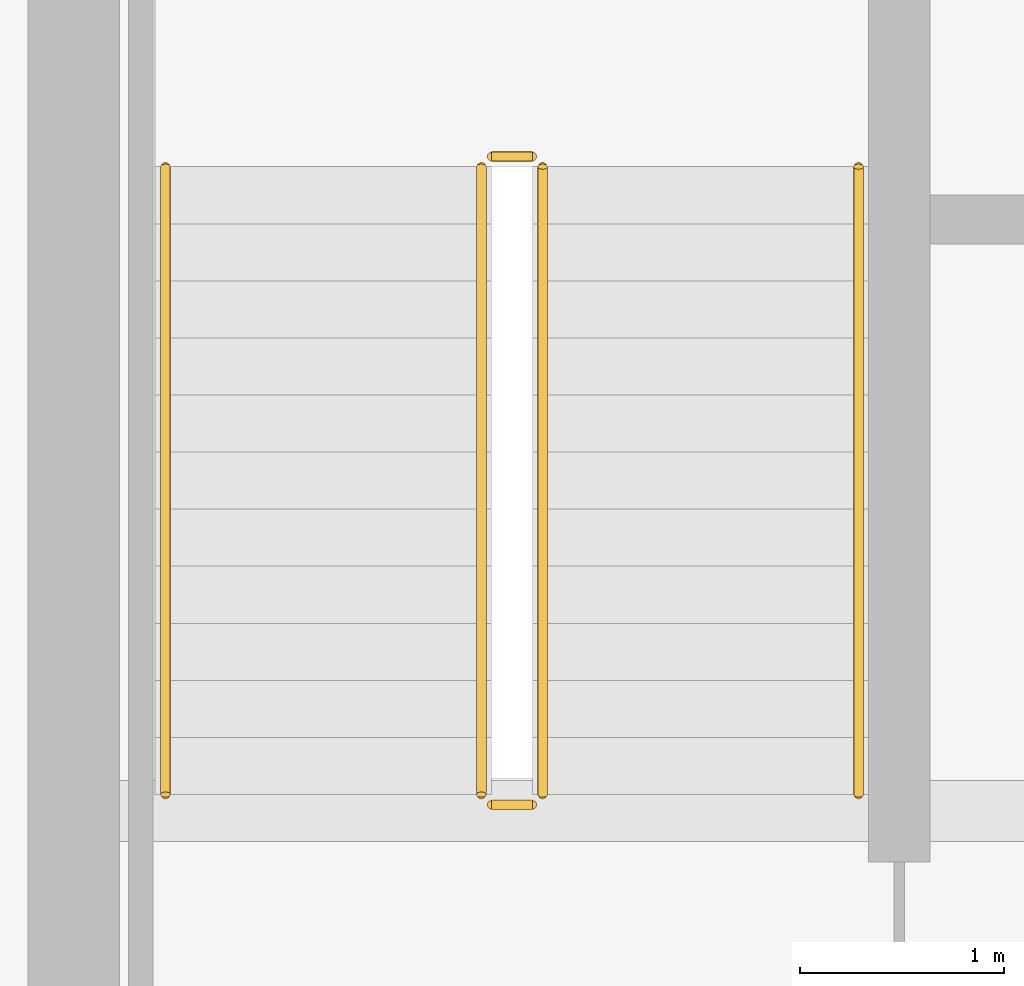
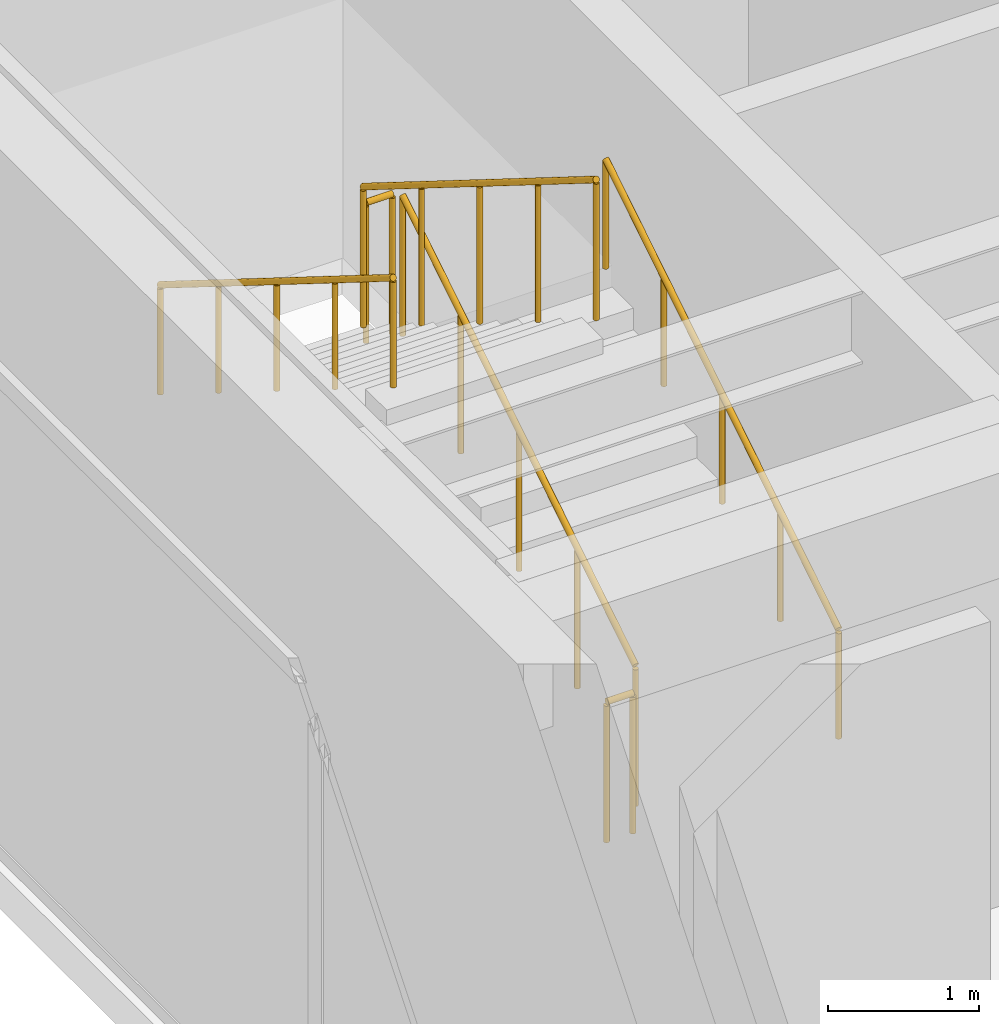
# One storey, part 30 of 31: 6 railings.
"""IFC4 building model written with IfcOpenShell, lengths in metres."""

from ifc_helpers import new_model, si_unit, direction, frame, origin, origin_2d, place, context, subcontext, project, spatial, circle, extrude, source, transform, mapped, material, type_object, type_shapes, element, save


model = new_model("IFC4")

# Units and contexts
model_context = context("Model", 3, precision=1e-05, world=origin(), true_north=direction((0.0, 1.0)))
body_context = subcontext(model_context, "Body", "Model", "MODEL_VIEW")
ifc_project = project(units=[si_unit("LENGTHUNIT", "METRE"), si_unit("AREAUNIT", "SQUARE_METRE"), si_unit("VOLUMEUNIT", "CUBIC_METRE"), si_unit("PLANEANGLEUNIT", "RADIAN"), si_unit("MASSUNIT", "GRAM", prefix="KILO")], contexts=[model_context])

# Site, building, storey
site_placement = place(None, origin())
site = spatial("IfcSite", under=ifc_project, at=site_placement, CompositionType="ELEMENT")
building_placement = place(site_placement, origin())
building = spatial("IfcBuilding", under=site, at=building_placement, Name="Haelvirn Gate Laboratories", CompositionType="ELEMENT")
storey_placement = place(building_placement, frame((0.0, 0.0, 318.60009765625)))
storey = spatial("IfcBuildingStorey", under=building, at=storey_placement, Name="L76", CompositionType="ELEMENT", Elevation=318.60009765625)

# Railings
ifc_material_1 = material(Name="Galvanised steel SM355 & stainless top rail", Category="steel")
railing_type_1 = type_object("IfcRailingType", Name="RL-GUARD-1150", PredefinedType="GUARDRAIL", material=ifc_material_1)
shared_shape_1 = source(origin(), body_context, "Body", "SweptSolid", [
    extrude(circle(Radius=0.02392578125, at=origin_2d()), frame((0.0, 0.0, 1.1259765625), z_axis=(-1.0, 0.0, 0.0), x_axis=(0.0, -1.0, 0.0)), (0.0, 0.0, 1.0), 0.199951171875),
    extrude(circle(Radius=0.02099609375, at=origin_2d()), origin(), (0.0, 0.0, 1.0), 1.101806640625),
    extrude(circle(Radius=0.02099609375, at=origin_2d()), frame((-0.199951171875, 0.0, 0.0)), (0.0, 0.0, 1.0), 1.101806640625),
])
for number, where, name in (
    (1, (9.64990234375, 29.830078125, 2.099853515625), "L76 ST1 stair guard 2"),
    (2, (9.64990234375, 26.64990234375, 0.0), "L76 ST1 stair guard 4"),
):
    element("IfcRailing", number, at=place(storey_placement, frame(where)), inside=storey, type_object=railing_type_1, Name=name, PredefinedType="GUARDRAIL", context=body_context, shape_type="MappedRepresentation", body=[
        mapped(shared_shape_1, transform((0.0, 0.0, 0.0), scale=1.0)),
    ])
shared_shape_2 = source(origin(), body_context, "Body", "SweptSolid", [
    extrude(circle(Radius=0.02392578125, at=origin_2d()), frame((0.0, 0.0, 1.1259765625), z_axis=(0.0, 0.847998304005, 0.529998940003), x_axis=(-1.0, 0.0, 0.0)), (0.0, 0.0, 1.0), 3.632080078125),
    extrude(circle(Radius=0.02099609375, at=origin_2d()), origin(), (0.0, 0.0, 1.0), 1.101806640625),
    extrude(circle(Radius=0.02099609375, at=origin_2d()), frame((0.0, 0.77001953125, 0.481201171875)), (0.0, 0.0, 1.0), 1.101806640625),
    extrude(circle(Radius=0.02099609375, at=origin_2d()), frame((0.0, 1.5400390625, 0.96240234375)), (0.0, 0.0, 1.0), 1.101806640625),
    extrude(circle(Radius=0.02099609375, at=origin_2d()), frame((0.0, 2.31005859375, 1.44384765625)), (0.0, 0.0, 1.0), 1.101806640625),
    extrude(circle(Radius=0.02099609375, at=origin_2d()), frame((0.0, 3.080078125, 1.925048828125)), (0.0, 0.0, 1.0), 1.101806640625),
])
railing_1_placement = place(storey_placement, frame((9.699951171875, 26.699951171875, 0.1748046875)))
element("IfcRailing", 3, at=railing_1_placement, inside=storey, type_object=railing_type_1, Name="L76 ST1 stair guard 1", PredefinedType="GUARDRAIL", context=body_context, shape_type="MappedRepresentation", body=[
    mapped(shared_shape_2, transform((0.0, 0.0, 0.0), scale=1.0)),
])
shared_shape_3 = source(origin(), body_context, "Body", "SweptSolid", [
    extrude(circle(Radius=0.02392578125, at=origin_2d()), frame((0.0, 0.0, 1.1259765625), z_axis=(0.0, -0.847998304005, 0.529998940003), x_axis=(1.0, 0.0, 0.0)), (0.0, 0.0, 1.0), 3.632080078125),
    extrude(circle(Radius=0.02099609375, at=origin_2d()), origin(), (0.0, 0.0, 1.0), 1.101806640625),
    extrude(circle(Radius=0.02099609375, at=origin_2d()), frame((0.0, -0.77001953125, 0.481201171875)), (0.0, 0.0, 1.0), 1.101806640625),
    extrude(circle(Radius=0.02099609375, at=origin_2d()), frame((0.0, -1.5400390625, 0.96240234375)), (0.0, 0.0, 1.0), 1.101806640625),
    extrude(circle(Radius=0.02099609375, at=origin_2d()), frame((0.0, -2.31005859375, 1.44384765625)), (0.0, 0.0, 1.0), 1.101806640625),
    extrude(circle(Radius=0.02099609375, at=origin_2d()), frame((0.0, -3.080078125, 1.925048828125)), (0.0, 0.0, 1.0), 1.101806640625),
])
type_shapes(railing_type_1, [shared_shape_1, shared_shape_2, shared_shape_3])
railing_2_placement = place(storey_placement, frame((9.39990234375, 29.780029296875, 2.27490234375)))
element("IfcRailing", 4, at=railing_2_placement, inside=storey, type_object=railing_type_1, Name="L76 ST1 stair guard 3", PredefinedType="GUARDRAIL", context=body_context, shape_type="MappedRepresentation", body=[
    mapped(shared_shape_3, transform((0.0, 0.0, 0.0), scale=1.0)),
])
ifc_material_2 = material(Name="Brushed stainless steel 316L", Category="steel")
railing_type_2 = type_object("IfcRailingType", Name="RL-HAND-920", PredefinedType="HANDRAIL", material=ifc_material_2)
shared_shape_4 = source(origin(), body_context, "Body", "SweptSolid", [
    extrude(circle(Radius=0.02392578125, at=origin_2d()), frame((0.0, 0.0, 0.8759765625), z_axis=(0.0, 0.847998304005, 0.529998940003), x_axis=(-1.0, 0.0, 0.0)), (0.0, 0.0, 1.0), 3.632080078125),
    extrude(circle(Radius=0.02099609375, at=origin_2d()), origin(), (0.0, 0.0, 1.0), 0.851806640625),
    extrude(circle(Radius=0.02099609375, at=origin_2d()), frame((0.0, 0.77001953125, 0.481201171875)), (0.0, 0.0, 1.0), 0.851806640625),
    extrude(circle(Radius=0.02099609375, at=origin_2d()), frame((0.0, 1.5400390625, 0.96240234375)), (0.0, 0.0, 1.0), 0.851806640625),
    extrude(circle(Radius=0.02099609375, at=origin_2d()), frame((0.0, 2.31005859375, 1.44384765625)), (0.0, 0.0, 1.0), 0.851806640625),
    extrude(circle(Radius=0.02099609375, at=origin_2d()), frame((0.0, 3.080078125, 1.925048828125)), (0.0, 0.0, 1.0), 0.851806640625),
])
railing_3_placement = place(storey_placement, frame((11.25, 26.699951171875, 0.1748046875)))
element("IfcRailing", 5, at=railing_3_placement, inside=storey, type_object=railing_type_2, Name="L76 ST1 stair handrail 1", PredefinedType="HANDRAIL", context=body_context, shape_type="MappedRepresentation", body=[
    mapped(shared_shape_4, transform((0.0, 0.0, 0.0), scale=1.0)),
])
shared_shape_5 = source(origin(), body_context, "Body", "SweptSolid", [
    extrude(circle(Radius=0.02392578125, at=origin_2d()), frame((0.0, 0.0, 0.8759765625), z_axis=(0.0, -0.847998304005, 0.529998940003), x_axis=(1.0, 0.0, 0.0)), (0.0, 0.0, 1.0), 3.632080078125),
    extrude(circle(Radius=0.02099609375, at=origin_2d()), origin(), (0.0, 0.0, 1.0), 0.851806640625),
    extrude(circle(Radius=0.02099609375, at=origin_2d()), frame((0.0, -0.77001953125, 0.481201171875)), (0.0, 0.0, 1.0), 0.851806640625),
    extrude(circle(Radius=0.02099609375, at=origin_2d()), frame((0.0, -1.5400390625, 0.96240234375)), (0.0, 0.0, 1.0), 0.851806640625),
    extrude(circle(Radius=0.02099609375, at=origin_2d()), frame((0.0, -2.31005859375, 1.44384765625)), (0.0, 0.0, 1.0), 0.851806640625),
    extrude(circle(Radius=0.02099609375, at=origin_2d()), frame((0.0, -3.080078125, 1.925048828125)), (0.0, 0.0, 1.0), 0.851806640625),
])
type_shapes(railing_type_2, [shared_shape_4, shared_shape_5])
railing_4_placement = place(storey_placement, frame((7.85009765625, 29.780029296875, 2.27490234375)))
element("IfcRailing", 6, at=railing_4_placement, inside=storey, type_object=railing_type_2, Name="L76 ST1 stair handrail 2", PredefinedType="HANDRAIL", context=body_context, shape_type="MappedRepresentation", body=[
    mapped(shared_shape_5, transform((0.0, 0.0, 0.0), scale=1.0)),
])

save(model, "model.ifc")
